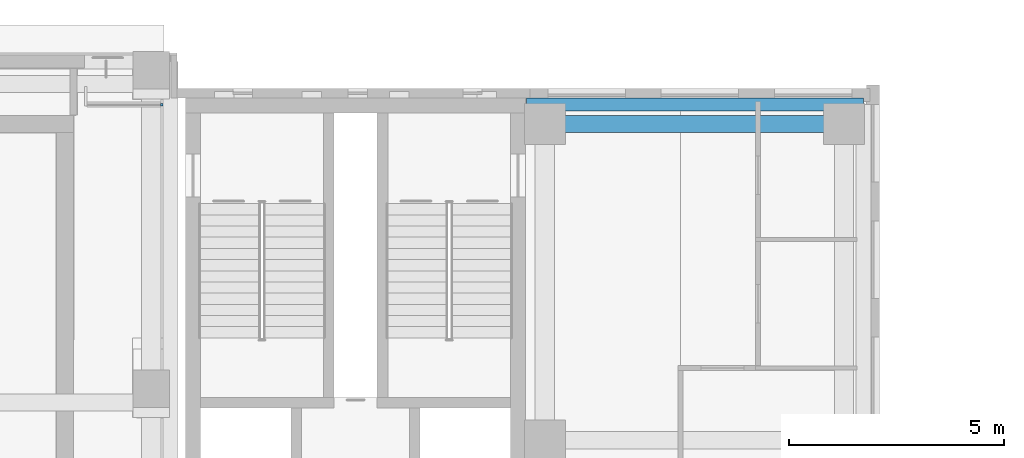
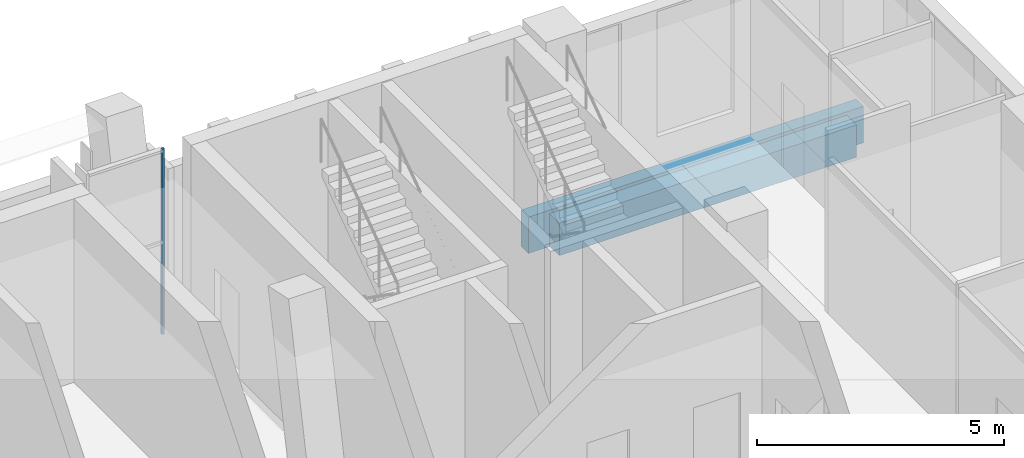
# One storey, part 49 of 92: 2 beams, 1 member, 1 element without a shape of its own.
"""IFC4 building model written with IfcOpenShell, lengths in metres."""

from ifc_helpers import new_model, si_unit, direction, frame, origin, origin_2d, place, context, subcontext, project, spatial, rectangle, extrude, material, material_profile, profile_set, type_object, element, aggregate, save


model = new_model("IFC4")

# Units and contexts
model_context = context("Model", 3, precision=1e-05, world=origin(), true_north=direction((0.0, 1.0)))
body_context = subcontext(model_context, "Body", "Model", "MODEL_VIEW")
ifc_project = project(units=[si_unit("LENGTHUNIT", "METRE"), si_unit("AREAUNIT", "SQUARE_METRE"), si_unit("VOLUMEUNIT", "CUBIC_METRE"), si_unit("PLANEANGLEUNIT", "RADIAN"), si_unit("MASSUNIT", "GRAM", prefix="KILO")], contexts=[model_context])

# Site, building, storey
site_placement = place(None, origin())
site = spatial("IfcSite", under=ifc_project, at=site_placement, CompositionType="ELEMENT")
building_placement = place(site_placement, origin())
building = spatial("IfcBuilding", under=site, at=building_placement, Name="Lantern Court Media Centre", CompositionType="ELEMENT")
storey_placement = place(building_placement, frame((0.0, 0.0, 4.800048828125)))
storey = spatial("IfcBuildingStorey", under=building, at=storey_placement, Name="L01", CompositionType="ELEMENT", Elevation=4.800048828125)

# Curtain wall, member
ifc_material_1 = material(Name="Curtain wall bay 3000")
curtain_wall_type = type_object("IfcCurtainWallType", Name="Curtain wall bay 3000", PredefinedType="NOTDEFINED", material=ifc_material_1)
curtain_wall_placement = place(storey_placement, origin())
curtain_wall = element("IfcCurtainWall", 1, at=curtain_wall_placement, inside=storey, type_object=curtain_wall_type, Name="Curtain wall N outer L01", PredefinedType="NOTDEFINED")
ifc_material_2 = material(Name="Anodised aluminium", Category="aluminium")
ifc_material_profile_1 = material_profile(ifc_material_2, rectangle(XDim=0.06005859375, YDim=0.06005859375, at=origin_2d()), Name="AL 60x60")
ifc_profile_set_1 = profile_set([ifc_material_profile_1], Name="Anodised aluminium")
member_type = type_object("IfcMemberType", Name="Curtain wall mullion 60x60", PredefinedType="MULLION", material=ifc_profile_set_1)
member_placement = place(storey_placement, frame((79.550048828125, 111.85009765625, 0.0), z_axis=(0.0, 0.0, 1.0), x_axis=(0.0, 1.0, 0.0)))
member = element("IfcMember", 2, at=member_placement, type_object=member_type, Name="CW1 mullion 2", PredefinedType="MULLION", context=body_context, shape_type="SweptSolid", body=[
    extrude(rectangle(XDim=0.06005859375, YDim=0.06005859375, at=origin_2d()), origin(), (0.0, 0.0, 1.0), 4.579833984375),
])
aggregate(curtain_wall, [member])

# Beams
ifc_material_3 = material(Name="Concrete C35", Category="concrete")
ifc_material_profile_2 = material_profile(ifc_material_3, rectangle(XDim=0.300048828125, YDim=0.89990234375, at=origin_2d()), Name="RC 300x900")
ifc_profile_set_2 = profile_set([ifc_material_profile_2], Name="Concrete C35")
beam_type_1 = type_object("IfcBeamType", Name="RC BEAM 300x900", PredefinedType="BEAM", material=ifc_profile_set_2)
beam_1_placement = place(storey_placement, frame((88.02001953125, 111.85009765625, -0.449951171875), z_axis=(1.0, 0.0, 0.0), x_axis=(0.0, 1.0, 0.0)))
element("IfcBeam", 3, at=beam_1_placement, inside=storey, type_object=beam_type_1, Name="EB-NE-L01-N", PredefinedType="BEAM", context=body_context, shape_type="SweptSolid", body=[
    extrude(rectangle(XDim=0.300048828125, YDim=0.89990234375, at=origin_2d()), origin(), (0.0, 0.0, 1.0), 7.830078125),
])
ifc_material_profile_3 = material_profile(ifc_material_3, rectangle(XDim=0.39990234375, YDim=0.800048828125, at=origin_2d()), Name="RC 400x800")
ifc_profile_set_3 = profile_set([ifc_material_profile_3], Name="Concrete C35")
beam_type_2 = type_object("IfcBeamType", Name="RC BEAM 400x800", PredefinedType="BEAM", material=ifc_profile_set_3)
beam_2_placement = place(storey_placement, frame((88.449951171875, 111.39990234375, -0.400146484375), z_axis=(1.0, 0.0, 0.0), x_axis=(0.0, 1.0, 0.0)))
element("IfcBeam", 4, at=beam_2_placement, inside=storey, type_object=beam_type_2, Name="BB-NE-L01-Y0-111", PredefinedType="BEAM", context=body_context, shape_type="SweptSolid", body=[
    extrude(rectangle(XDim=0.39990234375, YDim=0.800048828125, at=origin_2d()), origin(), (0.0, 0.0, 1.0), 6.949951171875),
])

save(model, "model.ifc")
